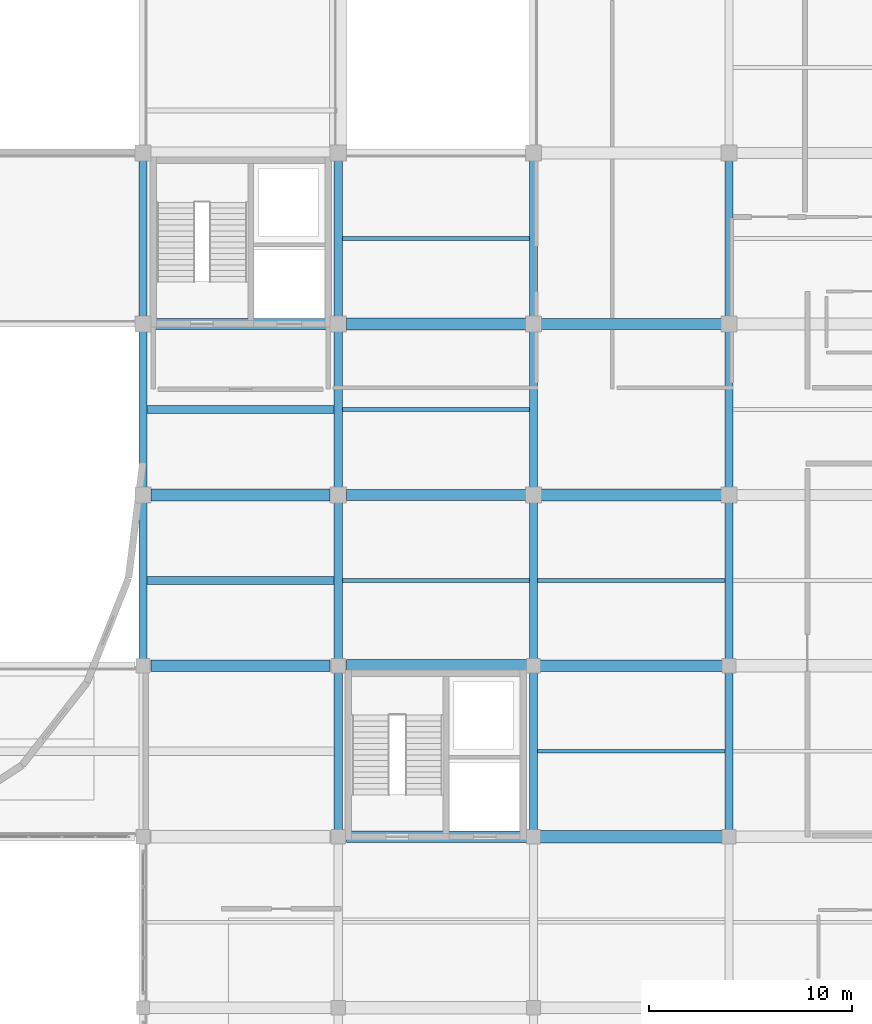
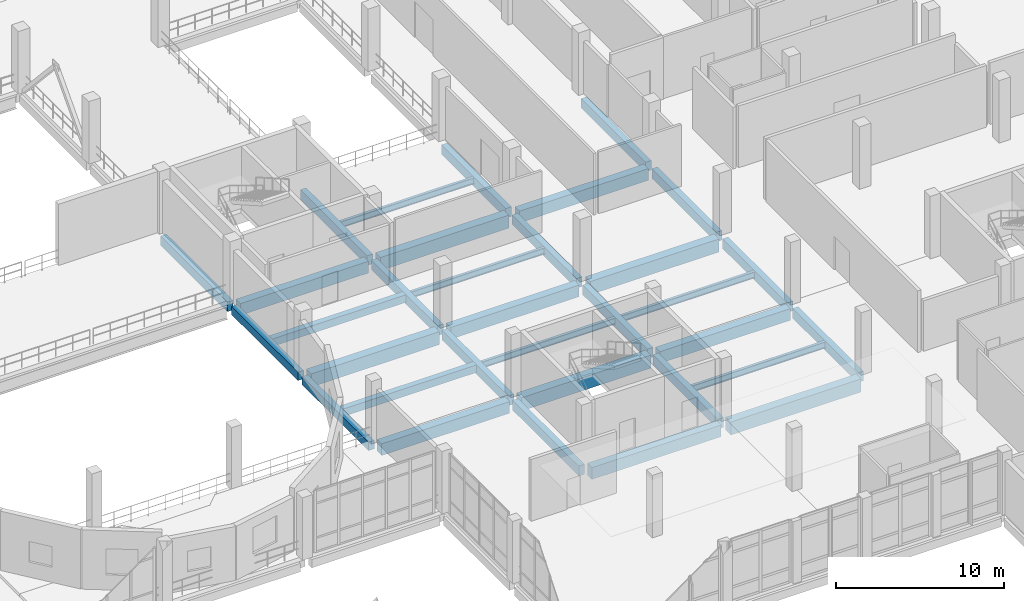
# One storey, part 49 of 102: 33 beams.
"""IFC4 building model written with IfcOpenShell, lengths in metres."""

from ifc_helpers import new_model, si_unit, direction, frame, origin, origin_2d, place, context, subcontext, project, spatial, rectangle, i_section, extrude, material, material_profile, profile_set, type_object, element, save


model = new_model("IFC4")

# Units and contexts
model_context = context("Model", 3, precision=1e-05, world=origin(), true_north=direction((0.0, 1.0)))
body_context = subcontext(model_context, "Body", "Model", "MODEL_VIEW")
ifc_project = project(units=[si_unit("LENGTHUNIT", "METRE"), si_unit("AREAUNIT", "SQUARE_METRE"), si_unit("VOLUMEUNIT", "CUBIC_METRE"), si_unit("PLANEANGLEUNIT", "RADIAN"), si_unit("MASSUNIT", "GRAM", prefix="KILO")], contexts=[model_context])

# Site, building, storey
site_placement = place(None, origin())
site = spatial("IfcSite", under=ifc_project, at=site_placement, CompositionType="ELEMENT")
building_placement = place(site_placement, origin())
building = spatial("IfcBuilding", under=site, at=building_placement, Name="Lornevale Opera House", CompositionType="ELEMENT")
storey_placement = place(building_placement, frame((0.0, 0.0, 5.39990234375)))
storey = spatial("IfcBuildingStorey", under=building, at=storey_placement, Name="L02", CompositionType="ELEMENT", Elevation=5.39990234375)

# Beams
ifc_material_1 = material(Name="Concrete 35 MPa (CSA A23.1 N)", Category="concrete")
ifc_material_profile_1 = material_profile(ifc_material_1, rectangle(XDim=0.39990234375, YDim=0.550048828125, at=origin_2d()), Name="RC400x550")
ifc_profile_set_1 = profile_set([ifc_material_profile_1], Name="Concrete 35 MPa (CSA A23.1 N)")
beam_type_1 = type_object("IfcBeamType", Name="Auditorium Tier Raker Beam 400x550", PredefinedType="JOIST", material=ifc_profile_set_1)
for number, where, z_axis, x_axis, name in (
    (1, (96.199951171875, 46.199951171875, -0.574951171875), (1.0, 0.0, 0.0), (0.0, 1.0, 0.0), "Auditorium Tier Raker Beam 400x550 2036"),
    (2, (96.199951171875, 54.60009765625, -0.574951171875), (1.0, 0.0, 0.0), (0.0, 1.0, 0.0), "Auditorium Tier Raker Beam 400x550 2037"),
):
    element("IfcBeam", number, at=place(storey_placement, frame(where, z_axis=z_axis, x_axis=x_axis)), inside=storey, type_object=beam_type_1, Name=name, PredefinedType="JOIST", context=body_context, shape_type="SweptSolid", body=[
        extrude(rectangle(XDim=0.39990234375, YDim=0.550048828125, at=origin_2d()), origin(), (0.0, 0.0, 1.0), 9.199951171875),
    ])
ifc_material_profile_2 = material_profile(ifc_material_1, rectangle(XDim=0.39990234375, YDim=0.699951171875, at=origin_2d()), Name="RC400x700")
ifc_profile_set_2 = profile_set([ifc_material_profile_2], Name="Concrete 35 MPa (CSA A23.1 N)")
beam_type_2 = type_object("IfcBeamType", Name="Concrete Floor Beam 400x700", PredefinedType="USERDEFINED", material=ifc_profile_set_2)
beam_1_placement = place(storey_placement, frame((96.0, 59.050048828125, -0.64990234375), z_axis=(0.0, 1.0, 0.0), x_axis=(-1.0, 0.0, 0.0)))
element("IfcBeam", 3, at=beam_1_placement, inside=storey, type_object=beam_type_2, Name="Concrete Floor Beam 400x700 1912", ObjectType="GIRDER", PredefinedType="USERDEFINED", context=body_context, shape_type="SweptSolid", body=[
    extrude(rectangle(XDim=0.39990234375, YDim=0.699951171875, at=origin_2d()), origin(), (0.0, 0.0, 1.0), 7.949951171875),
])
for number, where, z_axis, x_axis, name in (
    (4, (105.60009765625, 33.85009765625, -0.64990234375), (0.0, 1.0, 0.0), (-1.0, 0.0, 0.0), "Concrete Floor Beam 400x700 1920"),
    (5, (105.60009765625, 42.25, -0.64990234375), (0.0, 1.0, 0.0), (-1.0, 0.0, 0.0), "Concrete Floor Beam 400x700 1921"),
):
    element("IfcBeam", number, at=place(storey_placement, frame(where, z_axis=z_axis, x_axis=x_axis)), inside=storey, type_object=beam_type_2, Name=name, ObjectType="GIRDER", PredefinedType="USERDEFINED", context=body_context, shape_type="SweptSolid", body=[
        extrude(rectangle(XDim=0.39990234375, YDim=0.699951171875, at=origin_2d()), origin(), (0.0, 0.0, 1.0), 7.89990234375),
    ])
beam_2_placement = place(storey_placement, frame((105.60009765625, 50.64990234375, -0.64990234375), z_axis=(0.0, 1.0, 0.0), x_axis=(-1.0, 0.0, 0.0)))
element("IfcBeam", 6, at=beam_2_placement, inside=storey, type_object=beam_type_2, Name="Concrete Floor Beam 400x700 1922", ObjectType="GIRDER", PredefinedType="USERDEFINED", context=body_context, shape_type="SweptSolid", body=[
    extrude(rectangle(XDim=0.39990234375, YDim=0.699951171875, at=origin_2d()), origin(), (0.0, 0.0, 1.0), 7.900146484375),
])
beam_3_placement = place(storey_placement, frame((105.60009765625, 59.050048828125, -0.64990234375), z_axis=(0.0, 1.0, 0.0), x_axis=(-1.0, 0.0, 0.0)))
element("IfcBeam", 7, at=beam_3_placement, inside=storey, type_object=beam_type_2, Name="Concrete Floor Beam 400x700 1923", ObjectType="GIRDER", PredefinedType="USERDEFINED", context=body_context, shape_type="SweptSolid", body=[
    extrude(rectangle(XDim=0.39990234375, YDim=0.699951171875, at=origin_2d()), origin(), (0.0, 0.0, 1.0), 7.949951171875),
])
beam_4_placement = place(storey_placement, frame((115.199951171875, 33.925048828125, -0.64990234375), z_axis=(0.0, 1.0, 0.0), x_axis=(-1.0, 0.0, 0.0)))
element("IfcBeam", 8, at=beam_4_placement, inside=storey, type_object=beam_type_2, Name="Concrete Floor Beam 400x700 1930", ObjectType="GIRDER", PredefinedType="USERDEFINED", context=body_context, shape_type="SweptSolid", body=[
    extrude(rectangle(XDim=0.39990234375, YDim=0.699951171875, at=origin_2d()), origin(), (0.0, 0.0, 1.0), 7.75),
])
beam_5_placement = place(storey_placement, frame((115.199951171875, 42.324951171875, -0.64990234375), z_axis=(0.0, 1.0, 0.0), x_axis=(-1.0, 0.0, 0.0)))
element("IfcBeam", 9, at=beam_5_placement, inside=storey, type_object=beam_type_2, Name="Concrete Floor Beam 400x700 1931", ObjectType="GIRDER", PredefinedType="USERDEFINED", context=body_context, shape_type="SweptSolid", body=[
    extrude(rectangle(XDim=0.39990234375, YDim=0.699951171875, at=origin_2d()), origin(), (0.0, 0.0, 1.0), 7.699951171875),
])
beam_6_placement = place(storey_placement, frame((115.199951171875, 50.77490234375, -0.64990234375), z_axis=(0.0, 1.0, 0.0), x_axis=(-1.0, 0.0, 0.0)))
element("IfcBeam", 10, at=beam_6_placement, inside=storey, type_object=beam_type_2, Name="Concrete Floor Beam 400x700 1932", ObjectType="GIRDER", PredefinedType="USERDEFINED", context=body_context, shape_type="SweptSolid", body=[
    extrude(rectangle(XDim=0.39990234375, YDim=0.699951171875, at=origin_2d()), origin(), (0.0, 0.0, 1.0), 7.650146484375),
])
beam_7_placement = place(storey_placement, frame((115.199951171875, 59.175048828125, -0.64990234375), z_axis=(0.0, 1.0, 0.0), x_axis=(-1.0, 0.0, 0.0)))
element("IfcBeam", 11, at=beam_7_placement, inside=storey, type_object=beam_type_2, Name="Concrete Floor Beam 400x700 1933", ObjectType="GIRDER", PredefinedType="USERDEFINED", context=body_context, shape_type="SweptSolid", body=[
    extrude(rectangle(XDim=0.39990234375, YDim=0.699951171875, at=origin_2d()), origin(), (0.0, 0.0, 1.0), 7.64990234375),
])
beam_8_placement = place(storey_placement, frame((124.800048828125, 33.925048828125, -0.64990234375), z_axis=(0.0, 1.0, 0.0), x_axis=(-1.0, 0.0, 0.0)))
element("IfcBeam", 12, at=beam_8_placement, inside=storey, type_object=beam_type_2, Name="Concrete Floor Beam 400x700 1942", ObjectType="GIRDER", PredefinedType="USERDEFINED", context=body_context, shape_type="SweptSolid", body=[
    extrude(rectangle(XDim=0.39990234375, YDim=0.699951171875, at=origin_2d()), origin(), (0.0, 0.0, 1.0), 7.75),
])
beam_9_placement = place(storey_placement, frame((124.800048828125, 42.324951171875, -0.64990234375), z_axis=(0.0, 1.0, 0.0), x_axis=(-1.0, 0.0, 0.0)))
element("IfcBeam", 13, at=beam_9_placement, inside=storey, type_object=beam_type_2, Name="Concrete Floor Beam 400x700 1943", ObjectType="GIRDER", PredefinedType="USERDEFINED", context=body_context, shape_type="SweptSolid", body=[
    extrude(rectangle(XDim=0.39990234375, YDim=0.699951171875, at=origin_2d()), origin(), (0.0, 0.0, 1.0), 7.699951171875),
])
beam_10_placement = place(storey_placement, frame((124.800048828125, 50.77490234375, -0.64990234375), z_axis=(0.0, 1.0, 0.0), x_axis=(-1.0, 0.0, 0.0)))
element("IfcBeam", 14, at=beam_10_placement, inside=storey, type_object=beam_type_2, Name="Concrete Floor Beam 400x700 1944", ObjectType="GIRDER", PredefinedType="USERDEFINED", context=body_context, shape_type="SweptSolid", body=[
    extrude(rectangle(XDim=0.39990234375, YDim=0.699951171875, at=origin_2d()), origin(), (0.0, 0.0, 1.0), 7.650146484375),
])
beam_11_placement = place(storey_placement, frame((124.800048828125, 59.175048828125, -0.64990234375), z_axis=(0.0, 1.0, 0.0), x_axis=(-1.0, 0.0, 0.0)))
element("IfcBeam", 15, at=beam_11_placement, inside=storey, type_object=beam_type_2, Name="Concrete Floor Beam 400x700 1945", ObjectType="GIRDER", PredefinedType="USERDEFINED", context=body_context, shape_type="SweptSolid", body=[
    extrude(rectangle(XDim=0.39990234375, YDim=0.699951171875, at=origin_2d()), origin(), (0.0, 0.0, 1.0), 7.64990234375),
])
ifc_material_profile_3 = material_profile(ifc_material_1, rectangle(XDim=0.550048828125, YDim=0.85009765625, at=origin_2d()), Name="RC550x850")
ifc_profile_set_3 = profile_set([ifc_material_profile_3], Name="Concrete 35 MPa (CSA A23.1 N)")
beam_type_3 = type_object("IfcBeamType", Name="Concrete Primary Girder 550x850", PredefinedType="USERDEFINED", material=ifc_profile_set_3)
beam_12_placement = place(storey_placement, frame((106.0, 33.60009765625, -0.724853515625), z_axis=(1.0, 0.0, 0.0), x_axis=(0.0, 1.0, 0.0)))
element("IfcBeam", 16, at=beam_12_placement, inside=storey, type_object=beam_type_3, Name="Concrete Primary Girder 550x850 1717", ObjectType="GIRDER", PredefinedType="USERDEFINED", context=body_context, shape_type="SweptSolid", body=[
    extrude(rectangle(XDim=0.550048828125, YDim=0.85009765625, at=origin_2d()), origin(), (0.0, 0.0, 1.0), 8.875),
])
beam_13_placement = place(storey_placement, frame((96.39990234375, 42.0, -0.724853515625), z_axis=(1.0, 0.0, 0.0), x_axis=(0.0, 1.0, 0.0)))
element("IfcBeam", 17, at=beam_13_placement, inside=storey, type_object=beam_type_3, Name="Concrete Primary Girder 550x850 1729", ObjectType="GIRDER", PredefinedType="USERDEFINED", context=body_context, shape_type="SweptSolid", body=[
    extrude(rectangle(XDim=0.550048828125, YDim=0.85009765625, at=origin_2d()), origin(), (0.0, 0.0, 1.0), 8.800048828125),
])
beam_14_placement = place(storey_placement, frame((115.52490234375, 42.0, -0.724853515625), z_axis=(1.0, 0.0, 0.0), x_axis=(0.0, 1.0, 0.0)))
element("IfcBeam", 18, at=beam_14_placement, inside=storey, type_object=beam_type_3, Name="Concrete Primary Girder 550x850 1731", ObjectType="GIRDER", PredefinedType="USERDEFINED", context=body_context, shape_type="SweptSolid", body=[
    extrude(rectangle(XDim=0.550048828125, YDim=0.85009765625, at=origin_2d()), origin(), (0.0, 0.0, 1.0), 8.9501953125),
])
beam_15_placement = place(storey_placement, frame((106.0, 50.39990234375, -0.724853515625), z_axis=(1.0, 0.0, 0.0), x_axis=(0.0, 1.0, 0.0)))
element("IfcBeam", 19, at=beam_15_placement, inside=storey, type_object=beam_type_3, Name="Concrete Primary Girder 550x850 1740", ObjectType="GIRDER", PredefinedType="USERDEFINED", context=body_context, shape_type="SweptSolid", body=[
    extrude(rectangle(XDim=0.550048828125, YDim=0.85009765625, at=origin_2d()), origin(), (0.0, 0.0, 1.0), 8.824951171875),
])
beam_16_placement = place(storey_placement, frame((96.39990234375, 58.800048828125, -0.724853515625), z_axis=(1.0, 0.0, 0.0), x_axis=(0.0, 1.0, 0.0)))
element("IfcBeam", 20, at=beam_16_placement, inside=storey, type_object=beam_type_3, Name="Concrete Primary Girder 550x850 1750", ObjectType="GIRDER", PredefinedType="USERDEFINED", context=body_context, shape_type="SweptSolid", body=[
    extrude(rectangle(XDim=0.550048828125, YDim=0.85009765625, at=origin_2d()), origin(), (0.0, 0.0, 1.0), 8.800048828125),
])
beam_17_placement = place(storey_placement, frame((115.574951171875, 58.800048828125, -0.724853515625), z_axis=(1.0, 0.0, 0.0), x_axis=(0.0, 1.0, 0.0)))
element("IfcBeam", 21, at=beam_17_placement, inside=storey, type_object=beam_type_3, Name="Concrete Primary Girder 550x850 1752", ObjectType="GIRDER", PredefinedType="USERDEFINED", context=body_context, shape_type="SweptSolid", body=[
    extrude(rectangle(XDim=0.550048828125, YDim=0.85009765625, at=origin_2d()), origin(), (0.0, 0.0, 1.0), 8.85009765625),
])
ifc_material_profile_4 = material_profile(ifc_material_1, rectangle(XDim=0.60009765625, YDim=0.949951171875, at=origin_2d()), Name="RC600x950")
ifc_profile_set_4 = profile_set([ifc_material_profile_4], Name="Concrete 35 MPa (CSA A23.1 N)")
beam_type_4 = type_object("IfcBeamType", Name="Concrete Primary Girder 600x950", PredefinedType="USERDEFINED", material=ifc_profile_set_4)
beam_18_placement = place(storey_placement, frame((115.52490234375, 33.60009765625, -0.77490234375), z_axis=(1.0, 0.0, 0.0), x_axis=(0.0, 1.0, 0.0)))
element("IfcBeam", 22, at=beam_18_placement, inside=storey, type_object=beam_type_4, Name="Concrete Primary Girder 600x950 1718", ObjectType="GIRDER", PredefinedType="USERDEFINED", context=body_context, shape_type="SweptSolid", body=[
    extrude(rectangle(XDim=0.60009765625, YDim=0.949951171875, at=origin_2d()), origin(), (0.0, 0.0, 1.0), 8.9501953125),
])
beam_19_placement = place(storey_placement, frame((106.0, 42.0, -0.77490234375), z_axis=(1.0, 0.0, 0.0), x_axis=(0.0, 1.0, 0.0)))
element("IfcBeam", 23, at=beam_19_placement, inside=storey, type_object=beam_type_4, Name="Concrete Primary Girder 600x950 1730", ObjectType="GIRDER", PredefinedType="USERDEFINED", context=body_context, shape_type="SweptSolid", body=[
    extrude(rectangle(XDim=0.60009765625, YDim=0.949951171875, at=origin_2d()), origin(), (0.0, 0.0, 1.0), 8.875),
])
beam_20_placement = place(storey_placement, frame((96.39990234375, 50.39990234375, -0.77490234375), z_axis=(1.0, 0.0, 0.0), x_axis=(0.0, 1.0, 0.0)))
element("IfcBeam", 24, at=beam_20_placement, inside=storey, type_object=beam_type_4, Name="Concrete Primary Girder 600x950 1739", ObjectType="GIRDER", PredefinedType="USERDEFINED", context=body_context, shape_type="SweptSolid", body=[
    extrude(rectangle(XDim=0.60009765625, YDim=0.949951171875, at=origin_2d()), origin(), (0.0, 0.0, 1.0), 8.800048828125),
])
beam_21_placement = place(storey_placement, frame((115.574951171875, 50.39990234375, -0.77490234375), z_axis=(1.0, 0.0, 0.0), x_axis=(0.0, 1.0, 0.0)))
element("IfcBeam", 25, at=beam_21_placement, inside=storey, type_object=beam_type_4, Name="Concrete Primary Girder 600x950 1741", ObjectType="GIRDER", PredefinedType="USERDEFINED", context=body_context, shape_type="SweptSolid", body=[
    extrude(rectangle(XDim=0.60009765625, YDim=0.949951171875, at=origin_2d()), origin(), (0.0, 0.0, 1.0), 8.85009765625),
])
beam_22_placement = place(storey_placement, frame((106.0, 58.800048828125, -0.77490234375), z_axis=(1.0, 0.0, 0.0), x_axis=(0.0, 1.0, 0.0)))
element("IfcBeam", 26, at=beam_22_placement, inside=storey, type_object=beam_type_4, Name="Concrete Primary Girder 600x950 1751", ObjectType="GIRDER", PredefinedType="USERDEFINED", context=body_context, shape_type="SweptSolid", body=[
    extrude(rectangle(XDim=0.60009765625, YDim=0.949951171875, at=origin_2d()), origin(), (0.0, 0.0, 1.0), 8.824951171875),
])
ifc_material_profile_5 = material_profile(ifc_material_1, rectangle(XDim=0.39990234375, YDim=0.60009765625, at=origin_2d()), Name="RC400x600")
ifc_profile_set_5 = profile_set([ifc_material_profile_5], Name="Concrete 35 MPa (CSA A23.1 N)")
beam_type_5 = type_object("IfcBeamType", Name="Concrete Spandrel Beam 400x600", PredefinedType="SPANDREL", material=ifc_profile_set_5)
beam_23_placement = place(storey_placement, frame((96.0, 42.25, -0.599853515625), z_axis=(0.0, 1.0, 0.0), x_axis=(-1.0, 0.0, 0.0)))
element("IfcBeam", 27, at=beam_23_placement, inside=storey, type_object=beam_type_5, Name="Concrete Spandrel Beam 400x600 1910", PredefinedType="SPANDREL", context=body_context, shape_type="SweptSolid", body=[
    extrude(rectangle(XDim=0.39990234375, YDim=0.60009765625, at=origin_2d()), origin(), (0.0, 0.0, 1.0), 7.89990234375),
])
beam_24_placement = place(storey_placement, frame((96.0, 50.64990234375, -0.599853515625), z_axis=(0.0, 1.0, 0.0), x_axis=(-1.0, 0.0, 0.0)))
element("IfcBeam", 28, at=beam_24_placement, inside=storey, type_object=beam_type_5, Name="Concrete Spandrel Beam 400x600 1911", PredefinedType="SPANDREL", context=body_context, shape_type="SweptSolid", body=[
    extrude(rectangle(XDim=0.39990234375, YDim=0.60009765625, at=origin_2d()), origin(), (0.0, 0.0, 1.0), 7.900146484375),
])
ifc_material_2 = material(Name="Structural Steel CSA G40.21 Grade 350W (350 MPa)", Category="steel")
ifc_material_profile_6 = material_profile(ifc_material_2, i_section(OverallWidth=0.19189453125, OverallDepth=0.462890625, WebThickness=0.010498046875, FlangeThickness=0.017578125, at=origin_2d()), Name="W460x89")
ifc_profile_set_6 = profile_set([ifc_material_profile_6], Name="Structural Steel CSA G40.21 Grade 350W (350 MPa)")
beam_type_6 = type_object("IfcBeamType", Name="Steel Floor Joist W460x89", PredefinedType="JOIST", material=ifc_profile_set_6)
for number, where, z_axis, x_axis, name in (
    (29, (105.800048828125, 46.199951171875, -0.54638671875), (1.0, 0.0, 0.0), (0.0, 1.0, 0.0), "Steel Floor Joist W460x89 2043"),
    (30, (105.800048828125, 54.60009765625, -0.54638671875), (1.0, 0.0, 0.0), (0.0, 1.0, 0.0), "Steel Floor Joist W460x89 2044"),
    (31, (105.800048828125, 63.0, -0.54638671875), (1.0, 0.0, 0.0), (0.0, 1.0, 0.0), "Steel Floor Joist W460x89 2045"),
):
    element("IfcBeam", number, at=place(storey_placement, frame(where, z_axis=z_axis, x_axis=x_axis)), inside=storey, type_object=beam_type_6, Name=name, PredefinedType="JOIST", context=body_context, shape_type="SweptSolid", body=[
        extrude(i_section(OverallWidth=0.19189453125, OverallDepth=0.462890625, WebThickness=0.010498046875, FlangeThickness=0.017578125, at=origin_2d()), origin(), (0.0, 0.0, 1.0), 9.199951171875),
    ])
for number, where, z_axis, x_axis, name in (
    (32, (115.39990234375, 37.800048828125, -0.54638671875), (1.0, 0.0, 0.0), (0.0, 1.0, 0.0), "Steel Floor Joist W460x89 2051"),
    (33, (115.39990234375, 46.199951171875, -0.54638671875), (1.0, 0.0, 0.0), (0.0, 1.0, 0.0), "Steel Floor Joist W460x89 2052"),
):
    element("IfcBeam", number, at=place(storey_placement, frame(where, z_axis=z_axis, x_axis=x_axis)), inside=storey, type_object=beam_type_6, Name=name, PredefinedType="JOIST", context=body_context, shape_type="SweptSolid", body=[
        extrude(i_section(OverallWidth=0.19189453125, OverallDepth=0.462890625, WebThickness=0.010498046875, FlangeThickness=0.017578125, at=origin_2d()), origin(), (0.0, 0.0, 1.0), 9.2001953125),
    ])

save(model, "model.ifc")
